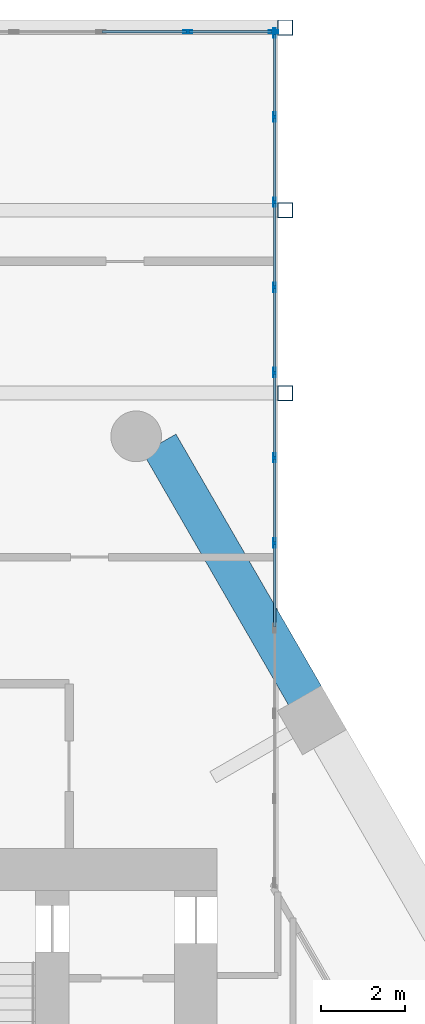
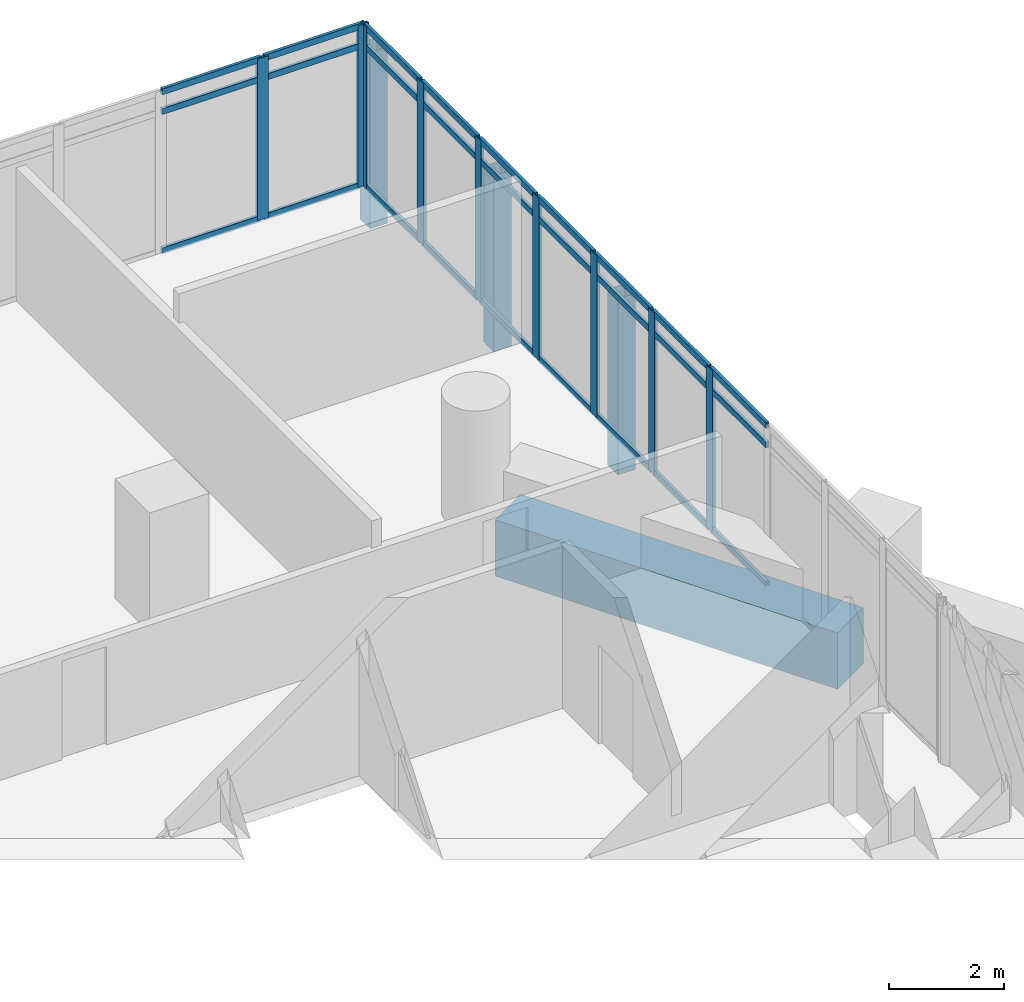
# One storey, part 19 of 28: 39 members, 1 beam, 2 elements without a shape of their own.
"""IFC4 building model written with IfcOpenShell, lengths in metres."""

from ifc_helpers import new_model, si_unit, direction, frame, origin, origin_2d, place, context, subcontext, project, spatial, rectangle, hollow_rectangle, extrude, material, material_profile, profile_set, type_object, element, aggregate, save


model = new_model("IFC4")

# Units and contexts
model_context = context("Model", 3, precision=1e-05, world=origin(), true_north=direction((0.0, 1.0)))
body_context = subcontext(model_context, "Body", "Model", "MODEL_VIEW")
ifc_project = project(units=[si_unit("LENGTHUNIT", "METRE"), si_unit("AREAUNIT", "SQUARE_METRE"), si_unit("VOLUMEUNIT", "CUBIC_METRE"), si_unit("PLANEANGLEUNIT", "RADIAN"), si_unit("MASSUNIT", "GRAM", prefix="KILO")], contexts=[model_context])

# Site, building, storey
site_placement = place(None, origin())
site = spatial("IfcSite", under=ifc_project, at=site_placement, CompositionType="ELEMENT")
building_placement = place(site_placement, origin())
building = spatial("IfcBuilding", under=site, at=building_placement, Name="Ostrander Bayou Hotel Tower", CompositionType="ELEMENT")
storey_placement = place(building_placement, frame((0.0, 0.0, 134.75)))
storey = spatial("IfcBuildingStorey", under=building, at=storey_placement, Name="L33", CompositionType="ELEMENT", Elevation=134.75)

# Curtain wall, members
ifc_material_1 = material(Name="Aluminium and clear glass", Category="aluminium")
curtain_wall_type = type_object("IfcCurtainWallType", Name="CW-BAR glazed wall", PredefinedType="NOTDEFINED", material=ifc_material_1)
curtain_wall_1_placement = place(storey_placement, origin())
curtain_wall_1 = element("IfcCurtainWall", 1, at=curtain_wall_1_placement, inside=storey, type_object=curtain_wall_type, Name="CW-BAR L33:SB3N:T", PredefinedType="NOTDEFINED")
ifc_material_2 = material(Name="Aluminium", Category="aluminium")
ifc_material_profile_1 = material_profile(ifc_material_2, hollow_rectangle(XDim=0.06005859375, YDim=0.219970703125, WallThickness=0.00390625, at=origin_2d()))
ifc_profile_set_1 = profile_set([ifc_material_profile_1], Name="Aluminium")
member_type_1 = type_object("IfcMemberType", Name="CW-BR mullion 60 x 220 mm", PredefinedType="MULLION", material=ifc_profile_set_1)
member_1_placement = place(storey_placement, frame((11.310791015625, 29.037109375, 0.0), z_axis=(0.0, 0.0, 1.0), x_axis=(0.0, 1.0, 0.0)))
member_1 = element("IfcMember", 2, at=member_1_placement, type_object=member_type_1, Name="CW-BAR mullion 13", PredefinedType="MULLION", context=body_context, shape_type="SweptSolid", body=[
    extrude(hollow_rectangle(XDim=0.06005859375, YDim=0.219970703125, WallThickness=0.00390625, at=origin_2d()), origin(), (0.0, 0.0, 1.0), 3.449951171875),
])
member_2_placement = place(storey_placement, frame((13.337158203125, 29.037109375, 0.0), z_axis=(0.0, 0.0, 1.0), x_axis=(0.0, 1.0, 0.0)))
member_2 = element("IfcMember", 3, at=member_2_placement, type_object=member_type_1, Name="CW-BAR mullion 14", PredefinedType="MULLION", context=body_context, shape_type="SweptSolid", body=[
    extrude(hollow_rectangle(XDim=0.06005859375, YDim=0.219970703125, WallThickness=0.00390625, at=origin_2d()), origin(), (0.0, 0.0, 1.0), 3.449951171875),
])

curtain_wall_2_placement = place(storey_placement, origin())
curtain_wall_2 = element("IfcCurtainWall", 4, at=curtain_wall_2_placement, inside=storey, type_object=curtain_wall_type, Name="CW-BAR L33:SB3N:W", PredefinedType="NOTDEFINED")
member_3_placement = place(storey_placement, frame((13.3671875, 16.931884765625, 0.0), z_axis=(0.0, 0.0, 1.0), x_axis=(-1.0, 0.0, 0.0)))
member_3 = element("IfcMember", 5, at=member_3_placement, type_object=member_type_1, Name="CW-BAR mullion 5", PredefinedType="MULLION", context=body_context, shape_type="SweptSolid", body=[
    extrude(hollow_rectangle(XDim=0.06005859375, YDim=0.219970703125, WallThickness=0.00390625, at=origin_2d()), origin(), (0.0, 0.0, 1.0), 3.449951171875),
])
member_4_placement = place(storey_placement, frame((13.3671875, 18.949462890625, 0.0), z_axis=(0.0, 0.0, 1.0), x_axis=(-1.0, 0.0, 0.0)))
member_4 = element("IfcMember", 6, at=member_4_placement, type_object=member_type_1, Name="CW-BAR mullion 6", PredefinedType="MULLION", context=body_context, shape_type="SweptSolid", body=[
    extrude(hollow_rectangle(XDim=0.06005859375, YDim=0.219970703125, WallThickness=0.00390625, at=origin_2d()), origin(), (0.0, 0.0, 1.0), 3.449951171875),
])
member_5_placement = place(storey_placement, frame((13.3671875, 20.967041015625, 0.0), z_axis=(0.0, 0.0, 1.0), x_axis=(-1.0, 0.0, 0.0)))
member_5 = element("IfcMember", 7, at=member_5_placement, type_object=member_type_1, Name="CW-BAR mullion 7", PredefinedType="MULLION", context=body_context, shape_type="SweptSolid", body=[
    extrude(hollow_rectangle(XDim=0.06005859375, YDim=0.219970703125, WallThickness=0.00390625, at=origin_2d()), origin(), (0.0, 0.0, 1.0), 3.449951171875),
])
member_6_placement = place(storey_placement, frame((13.3671875, 22.984375, 0.0), z_axis=(0.0, 0.0, 1.0), x_axis=(-1.0, 0.0, 0.0)))
member_6 = element("IfcMember", 8, at=member_6_placement, type_object=member_type_1, Name="CW-BAR mullion 8", PredefinedType="MULLION", context=body_context, shape_type="SweptSolid", body=[
    extrude(hollow_rectangle(XDim=0.06005859375, YDim=0.219970703125, WallThickness=0.00390625, at=origin_2d()), origin(), (0.0, 0.0, 1.0), 3.449951171875),
])
member_7_placement = place(storey_placement, frame((13.3671875, 25.001953125, 0.0), z_axis=(0.0, 0.0, 1.0), x_axis=(-1.0, 0.0, 0.0)))
member_7 = element("IfcMember", 9, at=member_7_placement, type_object=member_type_1, Name="CW-BAR mullion 9", PredefinedType="MULLION", context=body_context, shape_type="SweptSolid", body=[
    extrude(hollow_rectangle(XDim=0.06005859375, YDim=0.219970703125, WallThickness=0.00390625, at=origin_2d()), origin(), (0.0, 0.0, 1.0), 3.449951171875),
])
member_8_placement = place(storey_placement, frame((13.3671875, 27.01953125, 0.0), z_axis=(0.0, 0.0, 1.0), x_axis=(-1.0, 0.0, 0.0)))
member_8 = element("IfcMember", 10, at=member_8_placement, type_object=member_type_1, Name="CW-BAR mullion 10", PredefinedType="MULLION", context=body_context, shape_type="SweptSolid", body=[
    extrude(hollow_rectangle(XDim=0.06005859375, YDim=0.219970703125, WallThickness=0.00390625, at=origin_2d()), origin(), (0.0, 0.0, 1.0), 3.449951171875),
])
member_9_placement = place(storey_placement, frame((13.3671875, 29.007080078125, 0.0), z_axis=(0.0, 0.0, 1.0), x_axis=(-1.0, 0.0, 0.0)))
member_9 = element("IfcMember", 11, at=member_9_placement, type_object=member_type_1, Name="CW-BAR mullion 11", PredefinedType="MULLION", context=body_context, shape_type="SweptSolid", body=[
    extrude(hollow_rectangle(XDim=0.06005859375, YDim=0.219970703125, WallThickness=0.00390625, at=origin_2d()), origin(), (0.0, 0.0, 1.0), 3.449951171875),
])

# Member
ifc_material_3 = material(Name="Aluminium", Category="aluminium")
ifc_material_profile_2 = material_profile(ifc_material_3, hollow_rectangle(XDim=0.06005859375, YDim=0.1298828125, WallThickness=0.00390625, at=origin_2d()))
ifc_profile_set_2 = profile_set([ifc_material_profile_2], Name="Aluminium")
member_type_2 = type_object("IfcMemberType", Name="CW-BR transom 60 x 130 mm", PredefinedType="USERDEFINED", material=ifc_profile_set_2)
member_10_placement = place(storey_placement, frame((9.2841796875, 29.037109375, 0.030029296875), z_axis=(1.0, 0.0, 0.0), x_axis=(0.0, 1.0, 0.0)))
member_10 = element("IfcMember", 12, at=member_10_placement, type_object=member_type_2, Name="CW-BAR transom 12.1", ObjectType="TRANSOM", PredefinedType="USERDEFINED", context=body_context, shape_type="SweptSolid", body=[
    extrude(hollow_rectangle(XDim=0.06005859375, YDim=0.1298828125, WallThickness=0.00390625, at=origin_2d()), origin(), (0.0, 0.0, 1.0), 1.99658203125),
])

member_11_placement = place(storey_placement, frame((9.2841796875, 29.037109375, 3.0), z_axis=(1.0, 0.0, 0.0), x_axis=(0.0, 1.0, 0.0)))
member_11 = element("IfcMember", 13, at=member_11_placement, type_object=member_type_2, Name="CW-BAR transom 12.2", ObjectType="TRANSOM", PredefinedType="USERDEFINED", context=body_context, shape_type="SweptSolid", body=[
    extrude(hollow_rectangle(XDim=0.06005859375, YDim=0.1298828125, WallThickness=0.00390625, at=origin_2d()), origin(), (0.0, 0.0, 1.0), 1.99658203125),
])

member_12_placement = place(storey_placement, frame((9.2841796875, 29.037109375, 3.419921875), z_axis=(1.0, 0.0, 0.0), x_axis=(0.0, 1.0, 0.0)))
member_12 = element("IfcMember", 14, at=member_12_placement, type_object=member_type_2, Name="CW-BAR transom 12.3", ObjectType="TRANSOM", PredefinedType="USERDEFINED", context=body_context, shape_type="SweptSolid", body=[
    extrude(hollow_rectangle(XDim=0.06005859375, YDim=0.1298828125, WallThickness=0.00390625, at=origin_2d()), origin(), (0.0, 0.0, 1.0), 1.99658203125),
])

member_13_placement = place(storey_placement, frame((11.3408203125, 29.037109375, 0.030029296875), z_axis=(1.0, 0.0, 0.0), x_axis=(0.0, 1.0, 0.0)))
member_13 = element("IfcMember", 15, at=member_13_placement, type_object=member_type_2, Name="CW-BAR transom 13.1", ObjectType="TRANSOM", PredefinedType="USERDEFINED", context=body_context, shape_type="SweptSolid", body=[
    extrude(hollow_rectangle(XDim=0.06005859375, YDim=0.1298828125, WallThickness=0.00390625, at=origin_2d()), origin(), (0.0, 0.0, 1.0), 1.96630859375),
])

member_14_placement = place(storey_placement, frame((11.3408203125, 29.037109375, 3.0), z_axis=(1.0, 0.0, 0.0), x_axis=(0.0, 1.0, 0.0)))
member_14 = element("IfcMember", 16, at=member_14_placement, type_object=member_type_2, Name="CW-BAR transom 13.2", ObjectType="TRANSOM", PredefinedType="USERDEFINED", context=body_context, shape_type="SweptSolid", body=[
    extrude(hollow_rectangle(XDim=0.06005859375, YDim=0.1298828125, WallThickness=0.00390625, at=origin_2d()), origin(), (0.0, 0.0, 1.0), 1.96630859375),
])

member_15_placement = place(storey_placement, frame((11.3408203125, 29.037109375, 3.419921875), z_axis=(1.0, 0.0, 0.0), x_axis=(0.0, 1.0, 0.0)))
member_15 = element("IfcMember", 17, at=member_15_placement, type_object=member_type_2, Name="CW-BAR transom 13.3", ObjectType="TRANSOM", PredefinedType="USERDEFINED", context=body_context, shape_type="SweptSolid", body=[
    extrude(hollow_rectangle(XDim=0.06005859375, YDim=0.1298828125, WallThickness=0.00390625, at=origin_2d()), origin(), (0.0, 0.0, 1.0), 1.96630859375),
])

aggregate(curtain_wall_1, [member_1, member_2, member_10, member_11, member_12, member_13, member_14, member_15])

member_16_placement = place(storey_placement, frame((13.3671875, 14.9443359375, 0.030029296875), z_axis=(0.0, 1.0, 0.0), x_axis=(-1.0, 0.0, 0.0)))
member_16 = element("IfcMember", 18, at=member_16_placement, type_object=member_type_2, Name="CW-BAR transom 4.1", ObjectType="TRANSOM", PredefinedType="USERDEFINED", context=body_context, shape_type="SweptSolid", body=[
    extrude(hollow_rectangle(XDim=0.06005859375, YDim=0.1298828125, WallThickness=0.00390625, at=origin_2d()), origin(), (0.0, 0.0, 1.0), 1.95751953125),
])

member_17_placement = place(storey_placement, frame((13.3671875, 14.9443359375, 3.0), z_axis=(0.0, 1.0, 0.0), x_axis=(-1.0, 0.0, 0.0)))
member_17 = element("IfcMember", 19, at=member_17_placement, type_object=member_type_2, Name="CW-BAR transom 4.2", ObjectType="TRANSOM", PredefinedType="USERDEFINED", context=body_context, shape_type="SweptSolid", body=[
    extrude(hollow_rectangle(XDim=0.06005859375, YDim=0.1298828125, WallThickness=0.00390625, at=origin_2d()), origin(), (0.0, 0.0, 1.0), 1.95751953125),
])

member_18_placement = place(storey_placement, frame((13.3671875, 14.9443359375, 3.419921875), z_axis=(0.0, 1.0, 0.0), x_axis=(-1.0, 0.0, 0.0)))
member_18 = element("IfcMember", 20, at=member_18_placement, type_object=member_type_2, Name="CW-BAR transom 4.3", ObjectType="TRANSOM", PredefinedType="USERDEFINED", context=body_context, shape_type="SweptSolid", body=[
    extrude(hollow_rectangle(XDim=0.06005859375, YDim=0.1298828125, WallThickness=0.00390625, at=origin_2d()), origin(), (0.0, 0.0, 1.0), 1.95751953125),
])

member_19_placement = place(storey_placement, frame((13.3671875, 16.9619140625, 0.030029296875), z_axis=(0.0, 1.0, 0.0), x_axis=(-1.0, 0.0, 0.0)))
member_19 = element("IfcMember", 21, at=member_19_placement, type_object=member_type_2, Name="CW-BAR transom 5.1", ObjectType="TRANSOM", PredefinedType="USERDEFINED", context=body_context, shape_type="SweptSolid", body=[
    extrude(hollow_rectangle(XDim=0.06005859375, YDim=0.1298828125, WallThickness=0.00390625, at=origin_2d()), origin(), (0.0, 0.0, 1.0), 1.95751953125),
])

member_20_placement = place(storey_placement, frame((13.3671875, 16.9619140625, 3.0), z_axis=(0.0, 1.0, 0.0), x_axis=(-1.0, 0.0, 0.0)))
member_20 = element("IfcMember", 22, at=member_20_placement, type_object=member_type_2, Name="CW-BAR transom 5.2", ObjectType="TRANSOM", PredefinedType="USERDEFINED", context=body_context, shape_type="SweptSolid", body=[
    extrude(hollow_rectangle(XDim=0.06005859375, YDim=0.1298828125, WallThickness=0.00390625, at=origin_2d()), origin(), (0.0, 0.0, 1.0), 1.95751953125),
])

member_21_placement = place(storey_placement, frame((13.3671875, 16.9619140625, 3.419921875), z_axis=(0.0, 1.0, 0.0), x_axis=(-1.0, 0.0, 0.0)))
member_21 = element("IfcMember", 23, at=member_21_placement, type_object=member_type_2, Name="CW-BAR transom 5.3", ObjectType="TRANSOM", PredefinedType="USERDEFINED", context=body_context, shape_type="SweptSolid", body=[
    extrude(hollow_rectangle(XDim=0.06005859375, YDim=0.1298828125, WallThickness=0.00390625, at=origin_2d()), origin(), (0.0, 0.0, 1.0), 1.95751953125),
])

member_22_placement = place(storey_placement, frame((13.3671875, 18.9794921875, 0.030029296875), z_axis=(0.0, 1.0, 0.0), x_axis=(-1.0, 0.0, 0.0)))
member_22 = element("IfcMember", 24, at=member_22_placement, type_object=member_type_2, Name="CW-BAR transom 6.1", ObjectType="TRANSOM", PredefinedType="USERDEFINED", context=body_context, shape_type="SweptSolid", body=[
    extrude(hollow_rectangle(XDim=0.06005859375, YDim=0.1298828125, WallThickness=0.00390625, at=origin_2d()), origin(), (0.0, 0.0, 1.0), 1.95751953125),
])

member_23_placement = place(storey_placement, frame((13.3671875, 18.9794921875, 3.0), z_axis=(0.0, 1.0, 0.0), x_axis=(-1.0, 0.0, 0.0)))
member_23 = element("IfcMember", 25, at=member_23_placement, type_object=member_type_2, Name="CW-BAR transom 6.2", ObjectType="TRANSOM", PredefinedType="USERDEFINED", context=body_context, shape_type="SweptSolid", body=[
    extrude(hollow_rectangle(XDim=0.06005859375, YDim=0.1298828125, WallThickness=0.00390625, at=origin_2d()), origin(), (0.0, 0.0, 1.0), 1.95751953125),
])

member_24_placement = place(storey_placement, frame((13.3671875, 18.9794921875, 3.419921875), z_axis=(0.0, 1.0, 0.0), x_axis=(-1.0, 0.0, 0.0)))
member_24 = element("IfcMember", 26, at=member_24_placement, type_object=member_type_2, Name="CW-BAR transom 6.3", ObjectType="TRANSOM", PredefinedType="USERDEFINED", context=body_context, shape_type="SweptSolid", body=[
    extrude(hollow_rectangle(XDim=0.06005859375, YDim=0.1298828125, WallThickness=0.00390625, at=origin_2d()), origin(), (0.0, 0.0, 1.0), 1.95751953125),
])

member_25_placement = place(storey_placement, frame((13.3671875, 20.996826171875, 0.030029296875), z_axis=(0.0, 1.0, 0.0), x_axis=(-1.0, 0.0, 0.0)))
member_25 = element("IfcMember", 27, at=member_25_placement, type_object=member_type_2, Name="CW-BAR transom 7.1", ObjectType="TRANSOM", PredefinedType="USERDEFINED", context=body_context, shape_type="SweptSolid", body=[
    extrude(hollow_rectangle(XDim=0.06005859375, YDim=0.1298828125, WallThickness=0.00390625, at=origin_2d()), origin(), (0.0, 0.0, 1.0), 1.957763671875),
])

member_26_placement = place(storey_placement, frame((13.3671875, 20.996826171875, 3.0), z_axis=(0.0, 1.0, 0.0), x_axis=(-1.0, 0.0, 0.0)))
member_26 = element("IfcMember", 28, at=member_26_placement, type_object=member_type_2, Name="CW-BAR transom 7.2", ObjectType="TRANSOM", PredefinedType="USERDEFINED", context=body_context, shape_type="SweptSolid", body=[
    extrude(hollow_rectangle(XDim=0.06005859375, YDim=0.1298828125, WallThickness=0.00390625, at=origin_2d()), origin(), (0.0, 0.0, 1.0), 1.957763671875),
])

member_27_placement = place(storey_placement, frame((13.3671875, 20.996826171875, 3.419921875), z_axis=(0.0, 1.0, 0.0), x_axis=(-1.0, 0.0, 0.0)))
member_27 = element("IfcMember", 29, at=member_27_placement, type_object=member_type_2, Name="CW-BAR transom 7.3", ObjectType="TRANSOM", PredefinedType="USERDEFINED", context=body_context, shape_type="SweptSolid", body=[
    extrude(hollow_rectangle(XDim=0.06005859375, YDim=0.1298828125, WallThickness=0.00390625, at=origin_2d()), origin(), (0.0, 0.0, 1.0), 1.957763671875),
])

member_28_placement = place(storey_placement, frame((13.3671875, 23.014404296875, 0.030029296875), z_axis=(0.0, 1.0, 0.0), x_axis=(-1.0, 0.0, 0.0)))
member_28 = element("IfcMember", 30, at=member_28_placement, type_object=member_type_2, Name="CW-BAR transom 8.1", ObjectType="TRANSOM", PredefinedType="USERDEFINED", context=body_context, shape_type="SweptSolid", body=[
    extrude(hollow_rectangle(XDim=0.06005859375, YDim=0.1298828125, WallThickness=0.00390625, at=origin_2d()), origin(), (0.0, 0.0, 1.0), 1.95751953125),
])

member_29_placement = place(storey_placement, frame((13.3671875, 23.014404296875, 3.0), z_axis=(0.0, 1.0, 0.0), x_axis=(-1.0, 0.0, 0.0)))
member_29 = element("IfcMember", 31, at=member_29_placement, type_object=member_type_2, Name="CW-BAR transom 8.2", ObjectType="TRANSOM", PredefinedType="USERDEFINED", context=body_context, shape_type="SweptSolid", body=[
    extrude(hollow_rectangle(XDim=0.06005859375, YDim=0.1298828125, WallThickness=0.00390625, at=origin_2d()), origin(), (0.0, 0.0, 1.0), 1.95751953125),
])

member_30_placement = place(storey_placement, frame((13.3671875, 23.014404296875, 3.419921875), z_axis=(0.0, 1.0, 0.0), x_axis=(-1.0, 0.0, 0.0)))
member_30 = element("IfcMember", 32, at=member_30_placement, type_object=member_type_2, Name="CW-BAR transom 8.3", ObjectType="TRANSOM", PredefinedType="USERDEFINED", context=body_context, shape_type="SweptSolid", body=[
    extrude(hollow_rectangle(XDim=0.06005859375, YDim=0.1298828125, WallThickness=0.00390625, at=origin_2d()), origin(), (0.0, 0.0, 1.0), 1.95751953125),
])

member_31_placement = place(storey_placement, frame((13.3671875, 25.031982421875, 0.030029296875), z_axis=(0.0, 1.0, 0.0), x_axis=(-1.0, 0.0, 0.0)))
member_31 = element("IfcMember", 33, at=member_31_placement, type_object=member_type_2, Name="CW-BAR transom 9.1", ObjectType="TRANSOM", PredefinedType="USERDEFINED", context=body_context, shape_type="SweptSolid", body=[
    extrude(hollow_rectangle(XDim=0.06005859375, YDim=0.1298828125, WallThickness=0.00390625, at=origin_2d()), origin(), (0.0, 0.0, 1.0), 1.95751953125),
])

member_32_placement = place(storey_placement, frame((13.3671875, 25.031982421875, 3.0), z_axis=(0.0, 1.0, 0.0), x_axis=(-1.0, 0.0, 0.0)))
member_32 = element("IfcMember", 34, at=member_32_placement, type_object=member_type_2, Name="CW-BAR transom 9.2", ObjectType="TRANSOM", PredefinedType="USERDEFINED", context=body_context, shape_type="SweptSolid", body=[
    extrude(hollow_rectangle(XDim=0.06005859375, YDim=0.1298828125, WallThickness=0.00390625, at=origin_2d()), origin(), (0.0, 0.0, 1.0), 1.95751953125),
])

member_33_placement = place(storey_placement, frame((13.3671875, 25.031982421875, 3.419921875), z_axis=(0.0, 1.0, 0.0), x_axis=(-1.0, 0.0, 0.0)))
member_33 = element("IfcMember", 35, at=member_33_placement, type_object=member_type_2, Name="CW-BAR transom 9.3", ObjectType="TRANSOM", PredefinedType="USERDEFINED", context=body_context, shape_type="SweptSolid", body=[
    extrude(hollow_rectangle(XDim=0.06005859375, YDim=0.1298828125, WallThickness=0.00390625, at=origin_2d()), origin(), (0.0, 0.0, 1.0), 1.95751953125),
])

member_34_placement = place(storey_placement, frame((13.3671875, 27.049560546875, 0.030029296875), z_axis=(0.0, 1.0, 0.0), x_axis=(-1.0, 0.0, 0.0)))
member_34 = element("IfcMember", 36, at=member_34_placement, type_object=member_type_2, Name="CW-BAR transom 10.1", ObjectType="TRANSOM", PredefinedType="USERDEFINED", context=body_context, shape_type="SweptSolid", body=[
    extrude(hollow_rectangle(XDim=0.06005859375, YDim=0.1298828125, WallThickness=0.00390625, at=origin_2d()), origin(), (0.0, 0.0, 1.0), 1.927490234375),
])

member_35_placement = place(storey_placement, frame((13.3671875, 27.049560546875, 3.0), z_axis=(0.0, 1.0, 0.0), x_axis=(-1.0, 0.0, 0.0)))
member_35 = element("IfcMember", 37, at=member_35_placement, type_object=member_type_2, Name="CW-BAR transom 10.2", ObjectType="TRANSOM", PredefinedType="USERDEFINED", context=body_context, shape_type="SweptSolid", body=[
    extrude(hollow_rectangle(XDim=0.06005859375, YDim=0.1298828125, WallThickness=0.00390625, at=origin_2d()), origin(), (0.0, 0.0, 1.0), 1.927490234375),
])

member_36_placement = place(storey_placement, frame((13.3671875, 27.049560546875, 3.419921875), z_axis=(0.0, 1.0, 0.0), x_axis=(-1.0, 0.0, 0.0)))
member_36 = element("IfcMember", 38, at=member_36_placement, type_object=member_type_2, Name="CW-BAR transom 10.3", ObjectType="TRANSOM", PredefinedType="USERDEFINED", context=body_context, shape_type="SweptSolid", body=[
    extrude(hollow_rectangle(XDim=0.06005859375, YDim=0.1298828125, WallThickness=0.00390625, at=origin_2d()), origin(), (0.0, 0.0, 1.0), 1.927490234375),
])

aggregate(curtain_wall_2, [member_3, member_4, member_5, member_6, member_7, member_8, member_9, member_16, member_17, member_18, member_19, member_20, member_21, member_22, member_23, member_24, member_25, member_26, member_27, member_28, member_29, member_30, member_31, member_32, member_33, member_34, member_35, member_36])

# Beam
ifc_material_4 = material(Name="Concrete f'c 70 MPa", Category="concrete")
ifc_material_profile_3 = material_profile(ifc_material_4, rectangle(XDim=0.89990234375, YDim=1.199951171875, at=origin_2d()))
ifc_profile_set_3 = profile_set([ifc_material_profile_3], Name="Concrete f'c 70 MPa")
beam_type = type_object("IfcBeamType", Name="SP2 spandrel beam 900 x 1200 mm f'c 70 MPa", PredefinedType="SPANDREL", material=ifc_profile_set_3)
beam_placement = place(storey_placement, frame((14.09228515625, 13.3056640625, -0.60009765625), z_axis=(-0.499990732016, 0.866030754592, 0.0), x_axis=(-0.866030754592, -0.499990732016, 0.0)))
element("IfcBeam", 39, at=beam_placement, inside=storey, type_object=beam_type, Name="SP2 L33 NE-3", PredefinedType="SPANDREL", context=body_context, shape_type="SweptSolid", body=[
    extrude(rectangle(XDim=0.89990234375, YDim=1.199951171875, at=origin_2d()), origin(), (0.0, 0.0, 1.0), 6.906005859375),
])

# Members
ifc_material_5 = material(Name="Steel ASTM A500 Gr C", Category="steel")
ifc_material_profile_4 = material_profile(ifc_material_5, hollow_rectangle(XDim=0.355712890625, YDim=0.355712890625, WallThickness=0.01171875, at=origin_2d()))
ifc_profile_set_4 = profile_set([ifc_material_profile_4], Name="Steel ASTM A500 Gr C")
member_type_3 = type_object("IfcMemberType", Name="TH2 bar hanger HSS14x14x1/2", PredefinedType="POST", material=ifc_profile_set_4)
for number, where, z_axis, x_axis, name in (
    (40, (13.6201171875, 29.13720703125, -0.921875), (0.0, 0.0, 1.0), (1.0, 0.0, 0.0), "TH2 SB3WB H1-2"),
    (41, (13.6201171875, 24.809326171875, -0.921875), (0.0, 0.0, 1.0), (1.0, 0.0, 0.0), "TH2 SB3WB H2-2"),
    (42, (13.6201171875, 20.481689453125, -0.921875), (0.0, 0.0, 1.0), (1.0, 0.0, 0.0), "TH2 SB3WB H3-2"),
):
    element("IfcMember", number, at=place(storey_placement, frame(where, z_axis=z_axis, x_axis=x_axis)), inside=storey, type_object=member_type_3, Name=name, PredefinedType="POST", context=body_context, shape_type="SweptSolid", body=[
        extrude(hollow_rectangle(XDim=0.355712890625, YDim=0.355712890625, WallThickness=0.01171875, at=origin_2d()), origin(), (0.0, 0.0, 1.0), 3.75),
    ])

save(model, "model.ifc")
